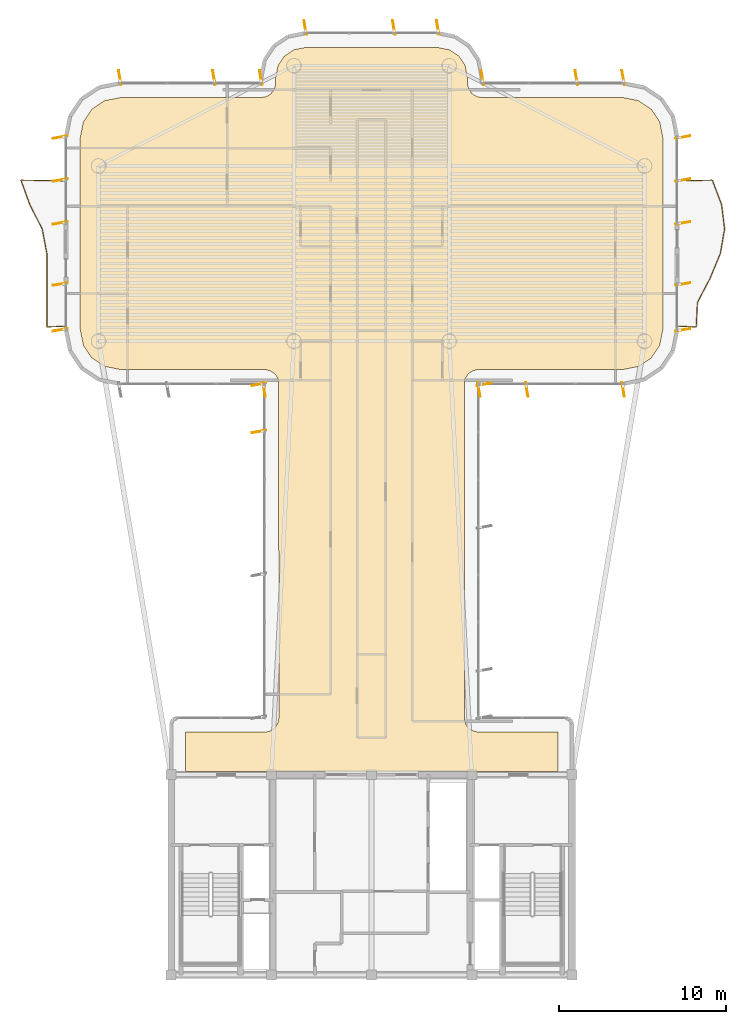
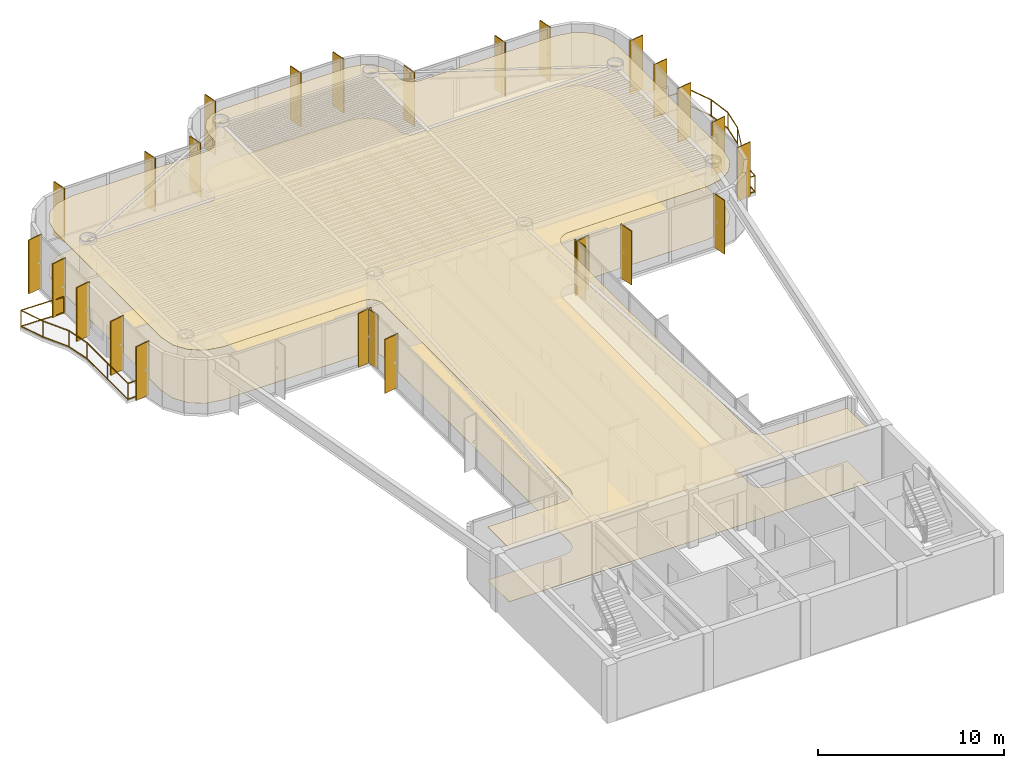
# One storey, part 15 of 15: 26 shading devices, 2 coverings, 2 railings.
"""IFC4 building model written with IfcOpenShell, lengths in metres."""

from ifc_helpers import new_model, si_unit, direction, frame, origin, origin_2d, place, context, subcontext, project, spatial, polyline, rectangle, outline, extrude, source, transform, mapped, material, layer, layer_set, material_profile, profile_set, type_object, element, save


model = new_model("IFC4")

# Units and contexts
model_context = context("Model", 3, precision=1e-05, world=origin(), true_north=direction((0.0, 1.0)))
body_context = subcontext(model_context, "Body", "Model", "MODEL_VIEW")
ifc_project = project(units=[si_unit("LENGTHUNIT", "METRE"), si_unit("AREAUNIT", "SQUARE_METRE"), si_unit("VOLUMEUNIT", "CUBIC_METRE"), si_unit("PLANEANGLEUNIT", "RADIAN"), si_unit("MASSUNIT", "GRAM", prefix="KILO")], contexts=[model_context])

# Site, building, storey
site_placement = place(None, origin())
site = spatial("IfcSite", under=ifc_project, at=site_placement, CompositionType="ELEMENT")
building_placement = place(site_placement, origin())
building = spatial("IfcBuilding", under=site, at=building_placement, Name="Brelvock Crest Care Tower", CompositionType="ELEMENT")
storey_placement = place(building_placement, frame((0.0, 0.0, 275.93994140625)))
storey = spatial("IfcBuildingStorey", under=building, at=storey_placement, Name="L70", CompositionType="ELEMENT", Elevation=275.93994140625)

# Coverings
ifc_material_1 = material(Name="Mineral Fibre Acoustic Ceiling Tile", Category="gypsum")
ifc_layer_1 = layer(ifc_material_1, 0.02490234375, Name="COV-CLG1")
ifc_layer_set_1 = layer_set([ifc_layer_1], Name="Mineral Fibre Acoustic Ceiling Tile")
covering_type_1 = type_object("IfcCoveringType", Name="COV-CLG1", PredefinedType="CEILING", material=ifc_layer_set_1)
covering_1_placement = place(storey_placement, frame((0.0, 0.0, 3.47509765625)))
element("IfcCovering", 1, at=covering_1_placement, inside=storey, type_object=covering_type_1, Name="L70 Acoustic Suspended Ceiling 1", PredefinedType="CEILING", context=body_context, shape_type="SweptSolid", body=[
    extrude(outline(polyline([(24.85009765625, 18.199951171875), (47.14990234375, 18.199951171875), (47.14990234375, 20.550048828125), (42.316650390625, 20.55419921875), (41.999267578125, 20.650390625), (41.799072265625, 20.799072265625), (41.650390625, 20.999267578125), (41.56640625, 21.234130859375), (41.55419921875, 41.4833984375), (41.61474609375, 41.725341796875), (41.799072265625, 42.0009765625), (42.07470703125, 42.185302734375), (42.316650390625, 42.245849609375), (51.016357421875, 42.25), (51.992919921875, 42.4443359375), (52.75, 42.9501953125), (53.255615234375, 43.70703125), (53.449951171875, 44.68359375), (53.449951171875, 56.1162109375), (53.255615234375, 57.093017578125), (52.75, 57.849853515625), (51.992919921875, 58.355712890625), (51.016357421875, 58.550048828125), (42.60009765625, 58.550048828125), (42.353271484375, 58.586669921875), (42.127685546875, 58.693359375), (41.9990234375, 58.799072265625), (41.814697265625, 59.07470703125), (41.754150390625, 59.316650390625), (41.75, 59.71630859375), (41.601318359375, 60.46337890625), (41.2255859375, 61.025634765625), (40.663330078125, 61.4013671875), (39.916259765625, 61.550048828125), (32.083740234375, 61.550048828125), (31.336669921875, 61.4013671875), (30.7744140625, 61.025634765625), (30.398681640625, 60.46337890625), (30.25, 59.71630859375), (30.245849609375, 59.316650390625), (30.185302734375, 59.07470703125), (30.0009765625, 58.799072265625), (29.872314453125, 58.693359375), (29.646728515625, 58.586669921875), (29.39990234375, 58.550048828125), (20.983642578125, 58.550048828125), (20.007080078125, 58.355712890625), (19.25, 57.849853515625), (18.744384765625, 57.093017578125), (18.550048828125, 56.1162109375), (18.550048828125, 44.68359375), (18.744384765625, 43.70703125), (19.25, 42.9501953125), (20.007080078125, 42.4443359375), (20.983642578125, 42.25), (29.683349609375, 42.245849609375), (29.92529296875, 42.185302734375), (30.200927734375, 42.0009765625), (30.349609375, 41.80078125), (30.43359375, 41.56591796875), (30.449951171875, 21.39990234375), (30.413330078125, 21.1533203125), (30.306640625, 20.927734375), (30.13916015625, 20.742919921875), (29.92529296875, 20.61474609375), (29.683349609375, 20.55419921875), (24.85009765625, 20.550048828125), (24.85009765625, 18.199951171875)])), origin(), (0.0, 0.0, 1.0), 0.02490234375),
])
ifc_material_2 = material(Name="Slip-Resistant Acoustic Vinyl Flooring", Category="finish")
ifc_layer_2 = layer(ifc_material_2, 0.014892578125, Name="COV-FLR1")
ifc_layer_set_2 = layer_set([ifc_layer_2], Name="Slip-Resistant Acoustic Vinyl Flooring")
covering_type_2 = type_object("IfcCoveringType", Name="COV-FLR1", PredefinedType="FLOORING", material=ifc_layer_set_2)
covering_2_placement = place(storey_placement, origin())
element("IfcCovering", 2, at=covering_2_placement, inside=storey, type_object=covering_type_2, Name="L70 Slip-Resistant Acoustic Flooring 1", PredefinedType="FLOORING", context=body_context, shape_type="SweptSolid", body=[
    extrude(outline(polyline([(24.85009765625, 18.199951171875), (47.14990234375, 18.199951171875), (47.14990234375, 20.550048828125), (42.316650390625, 20.55419921875), (41.999267578125, 20.650390625), (41.799072265625, 20.799072265625), (41.650390625, 20.999267578125), (41.56640625, 21.234130859375), (41.55419921875, 41.4833984375), (41.61474609375, 41.725341796875), (41.799072265625, 42.0009765625), (42.07470703125, 42.185302734375), (42.316650390625, 42.245849609375), (51.016357421875, 42.25), (51.992919921875, 42.4443359375), (52.75, 42.9501953125), (53.255615234375, 43.70703125), (53.449951171875, 44.68359375), (53.449951171875, 56.1162109375), (53.255615234375, 57.093017578125), (52.75, 57.849853515625), (51.992919921875, 58.355712890625), (51.016357421875, 58.550048828125), (42.60009765625, 58.550048828125), (42.353271484375, 58.586669921875), (42.127685546875, 58.693359375), (41.9990234375, 58.799072265625), (41.814697265625, 59.07470703125), (41.754150390625, 59.316650390625), (41.75, 59.71630859375), (41.601318359375, 60.46337890625), (41.2255859375, 61.025634765625), (40.663330078125, 61.4013671875), (39.916259765625, 61.550048828125), (32.083740234375, 61.550048828125), (31.336669921875, 61.4013671875), (30.7744140625, 61.025634765625), (30.398681640625, 60.46337890625), (30.25, 59.71630859375), (30.245849609375, 59.316650390625), (30.185302734375, 59.07470703125), (30.0009765625, 58.799072265625), (29.872314453125, 58.693359375), (29.646728515625, 58.586669921875), (29.39990234375, 58.550048828125), (20.983642578125, 58.550048828125), (20.007080078125, 58.355712890625), (19.25, 57.849853515625), (18.744384765625, 57.093017578125), (18.550048828125, 56.1162109375), (18.550048828125, 44.68359375), (18.744384765625, 43.70703125), (19.25, 42.9501953125), (20.007080078125, 42.4443359375), (20.983642578125, 42.25), (29.683349609375, 42.245849609375), (29.92529296875, 42.185302734375), (30.200927734375, 42.0009765625), (30.349609375, 41.80078125), (30.43359375, 41.56591796875), (30.449951171875, 21.39990234375), (30.413330078125, 21.1533203125), (30.306640625, 20.927734375), (30.13916015625, 20.742919921875), (29.92529296875, 20.61474609375), (29.683349609375, 20.55419921875), (24.85009765625, 20.550048828125), (24.85009765625, 18.199951171875)])), origin(), (0.0, 0.0, 1.0), 0.01513671875),
])

# Railings
ifc_material_3 = material(Name="Dark Glass Double Glazed Low-E", Category="glass")
ifc_layer_3 = layer(ifc_material_3, 0.06005859375, Name="RL-BAL1")
ifc_layer_set_3 = layer_set([ifc_layer_3], Name="Dark Glass Double Glazed Low-E")
railing_type = type_object("IfcRailingType", Name="RL-BAL1", PredefinedType="BALUSTRADE", material=ifc_layer_set_3)
railing_1_placement = place(storey_placement, frame((17.659912109375, 44.85009765625, 0.004150390625)))
element("IfcRailing", 3, at=railing_1_placement, inside=storey, type_object=railing_type, Name="L70 Safety Balustrade WB-W", PredefinedType="BALUSTRADE", context=body_context, shape_type="SweptSolid", body=[
    extrude(rectangle(XDim=0.048095703125, YDim=0.048095703125, at=origin_2d()), frame((-0.001953125, 0.0, 1.09619140625), z_axis=(-0.998966252902, -0.045457953795, 0.0), x_axis=(0.045457953795, -0.998966252902, 0.0)), (0.0, 0.0, 1.0), 1.096923828125),
    extrude(rectangle(XDim=0.048095703125, YDim=0.048095703125, at=origin_2d()), frame((-0.001953125, 0.0, 0.054931640625), z_axis=(-0.998966252902, -0.045457953795, 0.0), x_axis=(0.045457953795, -0.998966252902, 0.0)), (0.0, 0.0, 1.0), 1.096923828125),
    extrude(rectangle(XDim=0.048095703125, YDim=0.048095703125, at=origin_2d()), frame((-1.099853515625, -0.048095703125, 1.09619140625), z_axis=(0.0, 1.0, 0.0), x_axis=(-1.0, 0.0, 0.0)), (0.0, 0.0, 1.0), 4.39599609375),
    extrude(rectangle(XDim=0.048095703125, YDim=0.048095703125, at=origin_2d()), frame((-1.099853515625, -0.048095703125, 0.054931640625), z_axis=(0.0, 1.0, 0.0), x_axis=(-1.0, 0.0, 0.0)), (0.0, 0.0, 1.0), 4.39599609375),
    extrude(rectangle(XDim=0.048095703125, YDim=0.048095703125, at=origin_2d()), frame((-1.100341796875, 4.351806640625, 1.09619140625), z_axis=(-0.187051999936, 0.982350013651, 0.0), x_axis=(-0.982350013651, -0.187051999936, 0.0)), (0.0, 0.0, 1.0), 1.4892578125),
    extrude(rectangle(XDim=0.048095703125, YDim=0.048095703125, at=origin_2d()), frame((-1.100341796875, 4.351806640625, 0.054931640625), z_axis=(-0.187051999936, 0.982350013651, 0.0), x_axis=(-0.982350013651, -0.187051999936, 0.0)), (0.0, 0.0, 1.0), 1.4892578125),
    extrude(rectangle(XDim=0.048095703125, YDim=0.048095703125, at=origin_2d()), frame((-1.380126953125, 5.818359375, 1.09619140625), z_axis=(-0.453316616849, 0.891349563801, 0.0), x_axis=(-0.891349563801, -0.453316616849, 0.0)), (0.0, 0.0, 1.0), 1.641357421875),
    extrude(rectangle(XDim=0.048095703125, YDim=0.048095703125, at=origin_2d()), frame((-1.380126953125, 5.818359375, 0.054931640625), z_axis=(-0.453316616849, 0.891349563801, 0.0), x_axis=(-0.891349563801, -0.453316616849, 0.0)), (0.0, 0.0, 1.0), 1.641357421875),
    extrude(rectangle(XDim=0.048095703125, YDim=0.048095703125, at=origin_2d()), frame((-2.125732421875, 7.28515625, 1.09619140625), z_axis=(-0.338597458076, 0.940931326604, 0.0), x_axis=(-0.940931326604, -0.338597458076, 0.0)), (0.0, 0.0, 1.0), 1.554931640625),
    extrude(rectangle(XDim=0.048095703125, YDim=0.048095703125, at=origin_2d()), frame((-2.125732421875, 7.28515625, 0.054931640625), z_axis=(-0.338597458076, 0.940931326604, 0.0), x_axis=(-0.940931326604, -0.338597458076, 0.0)), (0.0, 0.0, 1.0), 1.554931640625),
    extrude(rectangle(XDim=0.048095703125, YDim=0.048095703125, at=origin_2d()), frame((-2.65087890625, 8.75, 1.09619140625), z_axis=(0.999822080967, -0.018862831456, 0.0), x_axis=(0.018862831456, 0.999822080967, 0.0)), (0.0, 0.0, 1.0), 2.6494140625),
    extrude(rectangle(XDim=0.048095703125, YDim=0.048095703125, at=origin_2d()), frame((-2.65087890625, 8.75, 0.054931640625), z_axis=(0.999822080967, -0.018862831456, 0.0), x_axis=(0.018862831456, 0.999822080967, 0.0)), (0.0, 0.0, 1.0), 2.6494140625),
    extrude(rectangle(XDim=0.0419921875, YDim=0.0419921875, at=origin_2d()), origin(), (0.0, 0.0, 1.0), 1.070068359375),
    extrude(rectangle(XDim=0.0419921875, YDim=0.0419921875, at=origin_2d()), frame((-1.099853515625, -0.050048828125, 0.0)), (0.0, 0.0, 1.0), 1.070068359375),
    extrude(rectangle(XDim=0.0419921875, YDim=0.0419921875, at=origin_2d()), frame((-1.099853515625, 2.14990234375, 0.0)), (0.0, 0.0, 1.0), 1.070068359375),
    extrude(rectangle(XDim=0.0419921875, YDim=0.0419921875, at=origin_2d()), frame((-1.099853515625, 4.349853515625, 0.0)), (0.0, 0.0, 1.0), 1.070068359375),
    extrude(rectangle(XDim=0.0419921875, YDim=0.0419921875, at=origin_2d()), frame((-1.379150390625, 5.816650390625, 0.0)), (0.0, 0.0, 1.0), 1.070068359375),
    extrude(rectangle(XDim=0.0419921875, YDim=0.0419921875, at=origin_2d()), frame((-2.125, 7.283203125, 0.0)), (0.0, 0.0, 1.0), 1.070068359375),
    extrude(rectangle(XDim=0.0419921875, YDim=0.0419921875, at=origin_2d()), frame((-2.65283203125, 8.75, 0.0)), (0.0, 0.0, 1.0), 1.070068359375),
    extrude(rectangle(XDim=0.0419921875, YDim=0.0419921875, at=origin_2d()), frame((0.0, 8.699951171875, 0.0)), (0.0, 0.0, 1.0), 1.070068359375),
])
railing_2_placement = place(storey_placement, frame((54.340087890625, 44.85009765625, 0.004150390625)))
element("IfcRailing", 4, at=railing_2_placement, inside=storey, type_object=railing_type, Name="L70 Safety Balustrade WB-E", PredefinedType="BALUSTRADE", context=body_context, shape_type="SweptSolid", body=[
    extrude(rectangle(XDim=0.048095703125, YDim=0.048095703125, at=origin_2d()), frame((0.001953125, 0.0, 1.09619140625), z_axis=(0.998966252902, -0.045457953795, 0.0), x_axis=(0.045457953795, 0.998966252902, 0.0)), (0.0, 0.0, 1.0), 1.096923828125),
    extrude(rectangle(XDim=0.048095703125, YDim=0.048095703125, at=origin_2d()), frame((0.001953125, 0.0, 0.054931640625), z_axis=(0.998966252902, -0.045457953795, 0.0), x_axis=(0.045457953795, 0.998966252902, 0.0)), (0.0, 0.0, 1.0), 1.096923828125),
    extrude(rectangle(XDim=0.048095703125, YDim=0.048095703125, at=origin_2d()), frame((1.099853515625, -0.048095703125, 1.09619140625), z_axis=(0.047225425177, 0.998884257167, 0.0), x_axis=(-0.998884257167, 0.047225425177, 0.0)), (0.0, 0.0, 1.0), 1.464111328125),
    extrude(rectangle(XDim=0.048095703125, YDim=0.048095703125, at=origin_2d()), frame((1.099853515625, -0.048095703125, 0.054931640625), z_axis=(0.047225425177, 0.998884257167, 0.0), x_axis=(-0.998884257167, 0.047225425177, 0.0)), (0.0, 0.0, 1.0), 1.464111328125),
    extrude(rectangle(XDim=0.048095703125, YDim=0.048095703125, at=origin_2d()), frame((1.170166015625, 1.418212890625, 1.09619140625), z_axis=(0.462147269358, 0.886803192047, 0.0), x_axis=(-0.886803192047, 0.462147269358, 0.0)), (0.0, 0.0, 1.0), 1.650146484375),
    extrude(rectangle(XDim=0.048095703125, YDim=0.048095703125, at=origin_2d()), frame((1.170166015625, 1.418212890625, 0.054931640625), z_axis=(0.462147269358, 0.886803192047, 0.0), x_axis=(-0.886803192047, 0.462147269358, 0.0)), (0.0, 0.0, 1.0), 1.650146484375),
    extrude(rectangle(XDim=0.048095703125, YDim=0.048095703125, at=origin_2d()), frame((1.934326171875, 2.88525390625, 1.09619140625), z_axis=(0.383184627058, 0.923671771565, 0.0), x_axis=(-0.923671771565, 0.383184627058, 0.0)), (0.0, 0.0, 1.0), 1.583740234375),
    extrude(rectangle(XDim=0.048095703125, YDim=0.048095703125, at=origin_2d()), frame((1.934326171875, 2.88525390625, 0.054931640625), z_axis=(0.383184627058, 0.923671771565, 0.0), x_axis=(-0.923671771565, 0.383184627058, 0.0)), (0.0, 0.0, 1.0), 1.583740234375),
    extrude(rectangle(XDim=0.048095703125, YDim=0.048095703125, at=origin_2d()), frame((2.542236328125, 4.351806640625, 1.09619140625), z_axis=(0.171998497869, 0.985097211818, 0.0), x_axis=(-0.985097211818, 0.171998497869, 0.0)), (0.0, 0.0, 1.0), 1.485107421875),
    extrude(rectangle(XDim=0.048095703125, YDim=0.048095703125, at=origin_2d()), frame((2.542236328125, 4.351806640625, 0.054931640625), z_axis=(0.171998497869, 0.985097211818, 0.0), x_axis=(-0.985097211818, 0.171998497869, 0.0)), (0.0, 0.0, 1.0), 1.485107421875),
    extrude(rectangle(XDim=0.048095703125, YDim=0.048095703125, at=origin_2d()), frame((2.7978515625, 5.818603515625, 1.09619140625), z_axis=(-0.12128867666, 0.992617276151, 0.0), x_axis=(-0.992617276151, -0.12128867666, 0.0)), (0.0, 0.0, 1.0), 1.473388671875),
    extrude(rectangle(XDim=0.048095703125, YDim=0.048095703125, at=origin_2d()), frame((2.7978515625, 5.818603515625, 0.054931640625), z_axis=(-0.12128867666, 0.992617276151, 0.0), x_axis=(-0.992617276151, -0.12128867666, 0.0)), (0.0, 0.0, 1.0), 1.473388671875),
    extrude(rectangle(XDim=0.048095703125, YDim=0.048095703125, at=origin_2d()), frame((2.6181640625, 7.28515625, 1.09619140625), z_axis=(-0.354532248386, 0.935043787667, 0.0), x_axis=(-0.935043787667, -0.354532248386, 0.0)), (0.0, 0.0, 1.0), 1.564697265625),
    extrude(rectangle(XDim=0.048095703125, YDim=0.048095703125, at=origin_2d()), frame((2.6181640625, 7.28515625, 0.054931640625), z_axis=(-0.354532248386, 0.935043787667, 0.0), x_axis=(-0.935043787667, -0.354532248386, 0.0)), (0.0, 0.0, 1.0), 1.564697265625),
    extrude(rectangle(XDim=0.048095703125, YDim=0.048095703125, at=origin_2d()), frame((2.060791015625, 8.75, 1.09619140625), z_axis=(-0.999705777823, -0.024256087638, 0.0), x_axis=(0.024256087638, -0.999705777823, 0.0)), (0.0, 0.0, 1.0), 2.059326171875),
    extrude(rectangle(XDim=0.048095703125, YDim=0.048095703125, at=origin_2d()), frame((2.060791015625, 8.75, 0.054931640625), z_axis=(-0.999705777823, -0.024256087638, 0.0), x_axis=(0.024256087638, -0.999705777823, 0.0)), (0.0, 0.0, 1.0), 2.059326171875),
    extrude(rectangle(XDim=0.0419921875, YDim=0.0419921875, at=origin_2d()), origin(), (0.0, 0.0, 1.0), 1.070068359375),
    extrude(rectangle(XDim=0.0419921875, YDim=0.0419921875, at=origin_2d()), frame((1.099853515625, -0.050048828125, 0.0)), (0.0, 0.0, 1.0), 1.070068359375),
    extrude(rectangle(XDim=0.0419921875, YDim=0.0419921875, at=origin_2d()), frame((1.169189453125, 1.41650390625, 0.0)), (0.0, 0.0, 1.0), 1.070068359375),
    extrude(rectangle(XDim=0.0419921875, YDim=0.0419921875, at=origin_2d()), frame((1.93359375, 2.88330078125, 0.0)), (0.0, 0.0, 1.0), 1.070068359375),
    extrude(rectangle(XDim=0.0419921875, YDim=0.0419921875, at=origin_2d()), frame((2.5419921875, 4.349853515625, 0.0)), (0.0, 0.0, 1.0), 1.070068359375),
    extrude(rectangle(XDim=0.0419921875, YDim=0.0419921875, at=origin_2d()), frame((2.798095703125, 5.816650390625, 0.0)), (0.0, 0.0, 1.0), 1.070068359375),
    extrude(rectangle(XDim=0.0419921875, YDim=0.0419921875, at=origin_2d()), frame((2.618896484375, 7.283203125, 0.0)), (0.0, 0.0, 1.0), 1.070068359375),
    extrude(rectangle(XDim=0.0419921875, YDim=0.0419921875, at=origin_2d()), frame((2.062744140625, 8.75, 0.0)), (0.0, 0.0, 1.0), 1.070068359375),
    extrude(rectangle(XDim=0.0419921875, YDim=0.0419921875, at=origin_2d()), frame((0.0, 8.699951171875, 0.0)), (0.0, 0.0, 1.0), 1.070068359375),
])

# Shading devices
ifc_material_4 = material(Name="Aluminium 6063-T6", Category="aluminium")
ifc_material_profile = material_profile(ifc_material_4, rectangle(XDim=0.054931640625, YDim=0.89990234375, at=origin_2d()), Name="FIN55x900")
ifc_profile_set = profile_set([ifc_material_profile], Name="Aluminium 6063-T6")
shading_device_type = type_object("IfcShadingDeviceType", Name="SHD-FIN1", PredefinedType="USERDEFINED", material=ifc_profile_set)
shared_shape = source(origin(), body_context, "Body", "SweptSolid", [
    extrude(rectangle(XDim=0.054931640625, YDim=0.89990234375, at=origin_2d()), origin(), (0.0, 0.0, 1.0), 3.530029296875),
])
for number, where, z_axis, x_axis, name in (
    (5, (29.260009765625, 38.54296875, 0.0), (0.0, 0.0, 1.0), (-0.173648177667, 0.984807753012, 0.0), "L70 Vertical Sunshade Fin E11-07"),
    (6, (29.260009765625, 41.3701171875, 0.0), (0.0, 0.0, 1.0), (-0.173648177667, 0.984807753012, 0.0), "L70 Vertical Sunshade Fin E11-08"),
    (7, (29.570068359375, 41.06005859375, 0.0), (0.0, 0.0, 1.0), (-0.984807753012, -0.173648177667, 0.0), "L70 Vertical Sunshade Fin E12-01"),
    (8, (17.360107421875, 44.6298828125, 0.0), (0.0, 0.0, 1.0), (-0.173648177667, 0.984807753012, 0.0), "L70 Vertical Sunshade Fin E17A-01"),
    (9, (17.360107421875, 47.3701171875, 0.0), (0.0, 0.0, 1.0), (-0.173648177667, 0.984807753012, 0.0), "L70 Vertical Sunshade Fin E17A-02"),
    (10, (17.360107421875, 51.030029296875, 0.0), (0.0, 0.0, 1.0), (-0.173648177667, 0.984807753012, 0.0), "L70 Vertical Sunshade Fin E17B-01"),
    (11, (17.360107421875, 53.60009765625, 0.0), (0.0, 0.0, 1.0), (-0.173648177667, 0.984807753012, 0.0), "L70 Vertical Sunshade Fin E17B-02"),
    (12, (17.360107421875, 56.169921875, 0.0), (0.0, 0.0, 1.0), (-0.173648177667, 0.984807753012, 0.0), "L70 Vertical Sunshade Fin E17B-03"),
    (13, (20.929931640625, 59.739990234375, 0.0), (0.0, 0.0, 1.0), (0.984807753012, 0.173648177667, 0.0), "L70 Vertical Sunshade Fin E22-01"),
    (14, (26.566650390625, 59.739990234375, 0.0), (0.0, 0.0, 1.0), (0.984807753012, 0.173648177667, 0.0), "L70 Vertical Sunshade Fin E22-03"),
    (15, (29.3701171875, 59.739990234375, 0.0), (0.0, 0.0, 1.0), (0.984807753012, 0.173648177667, 0.0), "L70 Vertical Sunshade Fin E22-04"),
    (16, (32.030029296875, 62.739990234375, 0.0), (0.0, 0.0, 1.0), (0.984807753012, 0.173648177667, 0.0), "L70 Vertical Sunshade Fin E28-01"),
    (17, (37.333251953125, 62.739990234375, 0.0), (0.0, 0.0, 1.0), (0.984807753012, 0.173648177667, 0.0), "L70 Vertical Sunshade Fin E28-03"),
    (18, (39.969970703125, 62.739990234375, 0.0), (0.0, 0.0, 1.0), (0.984807753012, 0.173648177667, 0.0), "L70 Vertical Sunshade Fin E28-04"),
    (19, (42.6298828125, 59.739990234375, 0.0), (0.0, 0.0, 1.0), (0.984807753012, 0.173648177667, 0.0), "L70 Vertical Sunshade Fin E34-01"),
    (20, (48.2666015625, 59.739990234375, 0.0), (0.0, 0.0, 1.0), (0.984807753012, 0.173648177667, 0.0), "L70 Vertical Sunshade Fin E34-03"),
    (21, (51.070068359375, 59.739990234375, 0.0), (0.0, 0.0, 1.0), (0.984807753012, 0.173648177667, 0.0), "L70 Vertical Sunshade Fin E34-04"),
    (22, (54.639892578125, 56.169921875, 0.0), (0.0, 0.0, 1.0), (0.173648177667, -0.984807753012, 0.0), "L70 Vertical Sunshade Fin E39A-01"),
    (23, (54.639892578125, 53.60009765625, 0.0), (0.0, 0.0, 1.0), (0.173648177667, -0.984807753012, 0.0), "L70 Vertical Sunshade Fin E39A-02"),
    (24, (54.639892578125, 51.030029296875, 0.0), (0.0, 0.0, 1.0), (0.173648177667, -0.984807753012, 0.0), "L70 Vertical Sunshade Fin E39A-03"),
    (25, (54.639892578125, 47.3701171875, 0.0), (0.0, 0.0, 1.0), (0.173648177667, -0.984807753012, 0.0), "L70 Vertical Sunshade Fin E39B-01"),
    (26, (54.639892578125, 44.6298828125, 0.0), (0.0, 0.0, 1.0), (0.173648177667, -0.984807753012, 0.0), "L70 Vertical Sunshade Fin E39B-02"),
    (27, (51.070068359375, 41.06005859375, 0.0), (0.0, 0.0, 1.0), (-0.984807753012, -0.173648177667, 0.0), "L70 Vertical Sunshade Fin E44-01"),
    (28, (45.300048828125, 41.06005859375, 0.0), (0.0, 0.0, 1.0), (-0.984807753012, -0.173648177667, 0.0), "L70 Vertical Sunshade Fin E44-03"),
    (29, (42.429931640625, 41.06005859375, 0.0), (0.0, 0.0, 1.0), (-0.984807753012, -0.173648177667, 0.0), "L70 Vertical Sunshade Fin E44-04"),
    (30, (42.739990234375, 41.3701171875, 0.0), (0.0, 0.0, 1.0), (0.173648177667, -0.984807753012, 0.0), "L70 Vertical Sunshade Fin E45-01"),
):
    element("IfcShadingDevice", number, at=place(storey_placement, frame(where, z_axis=z_axis, x_axis=x_axis)), inside=storey, type_object=shading_device_type, Name=name, ObjectType="FIN", PredefinedType="USERDEFINED", context=body_context, shape_type="MappedRepresentation", body=[
        mapped(shared_shape, transform((0.0, 0.0, 0.0), x_axis=(1.0, 0.0, 0.0), y_axis=(0.0, 1.0, 0.0), z_axis=(0.0, 0.0, 1.0), scale=1.0)),
    ])

save(model, "model.ifc")
